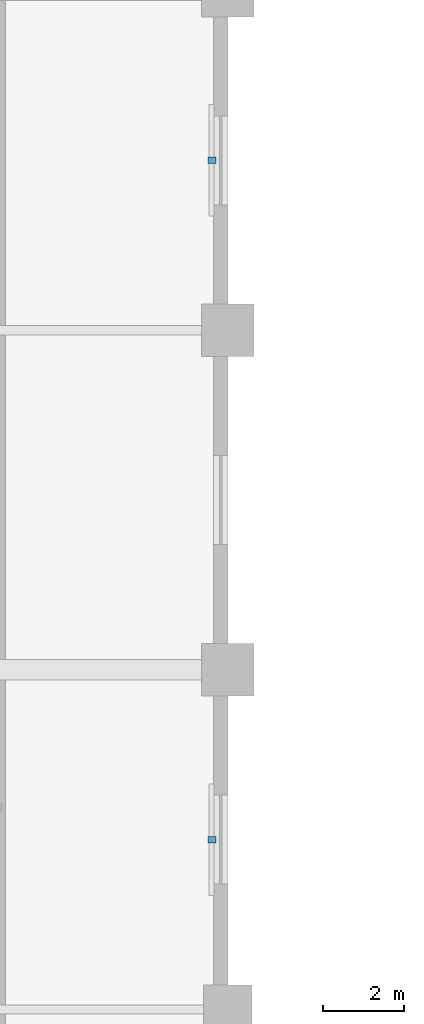
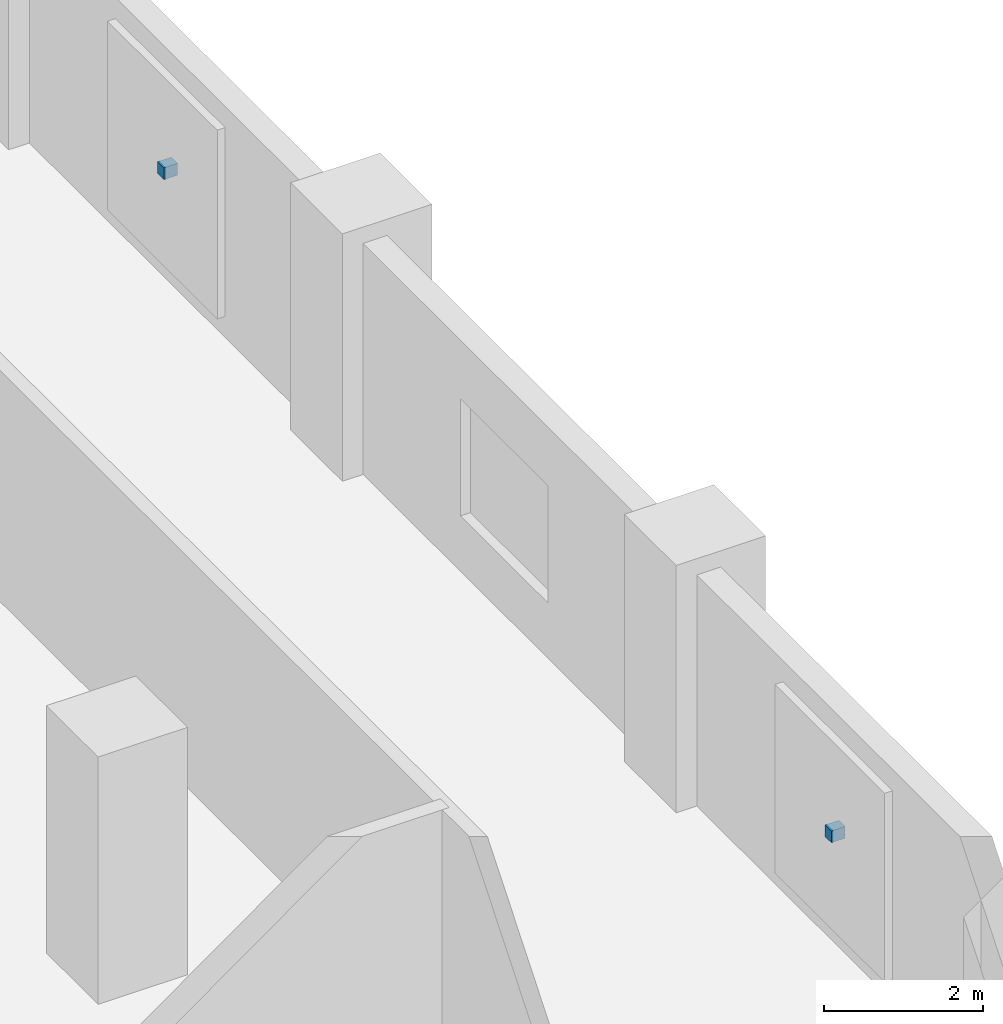
# One storey, part 17 of 21: 2 discrete accessories.
"""IFC4 building model written with IfcOpenShell, lengths in metres."""

from ifc_helpers import new_model, si_unit, direction, frame, origin, origin_2d, place, context, subcontext, project, spatial, rectangle, extrude, material, type_object, element, save


model = new_model("IFC4")

# Units and contexts
model_context = context("Model", 3, precision=1e-05, world=origin(), true_north=direction((0.0, 1.0)))
body_context = subcontext(model_context, "Body", "Model", "MODEL_VIEW")
ifc_project = project(units=[si_unit("LENGTHUNIT", "METRE"), si_unit("AREAUNIT", "SQUARE_METRE"), si_unit("VOLUMEUNIT", "CUBIC_METRE"), si_unit("PLANEANGLEUNIT", "RADIAN"), si_unit("MASSUNIT", "GRAM", prefix="KILO")], contexts=[model_context])

# Site, building, storey
site_placement = place(None, origin())
site = spatial("IfcSite", under=ifc_project, at=site_placement, CompositionType="ELEMENT")
building_placement = place(site_placement, origin())
building = spatial("IfcBuilding", under=site, at=building_placement, Name="Koriwani Terraces Tower", CompositionType="ELEMENT")
storey_placement = place(building_placement, frame((0.0, 0.0, 111.39990234375)))
storey = spatial("IfcBuildingStorey", under=building, at=storey_placement, Name="L26", CompositionType="ELEMENT", Elevation=111.39990234375)

# Discrete accessories
ifc_material = material(Name="Steel ASTM A572 Grade 50", Category="steel")
discrete_accessory_type = type_object("IfcDiscreteAccessoryType", Name="BAGUETTE_STANDOFF_BRACKET", PredefinedType="BRACKET", material=ifc_material)
for number, where, z_axis, x_axis, name in (
    (1, (33.2099609375, 63.0, 1.68505859375), (0.0, 0.0, 1.0), (0.0, -1.0, 0.0), "L26 Terracotta Baguette Bracket (NW_IN-11)"),
    (2, (33.2099609375, 79.800048828125, 1.68505859375), (0.0, 0.0, 1.0), (0.0, -1.0, 0.0), "L26 Terracotta Baguette Bracket (NW_IN-17)"),
):
    element("IfcDiscreteAccessory", number, at=place(storey_placement, frame(where, z_axis=z_axis, x_axis=x_axis)), inside=storey, type_object=discrete_accessory_type, Name=name, PredefinedType="BRACKET", context=body_context, shape_type="SweptSolid", body=[
        extrude(rectangle(XDim=0.159912109375, YDim=0.199951171875, at=origin_2d()), origin(), (0.0, 0.0, 1.0), 0.179931640625),
    ])

save(model, "model.ifc")
